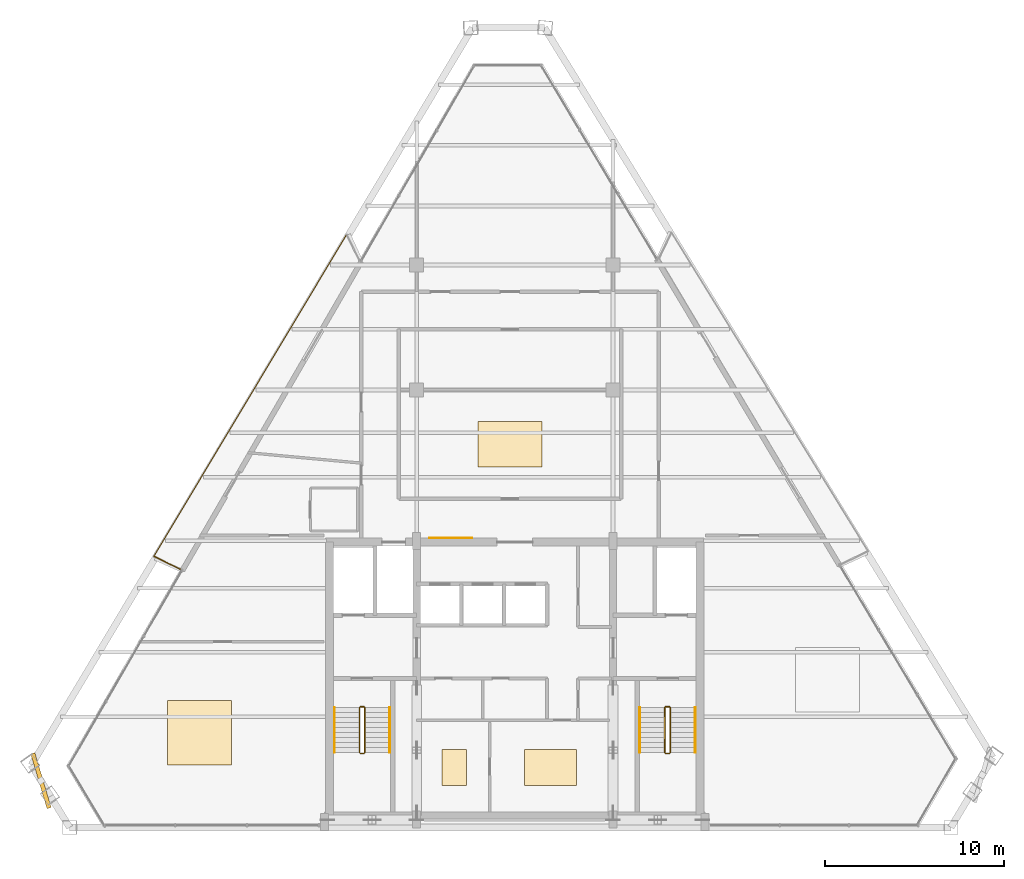
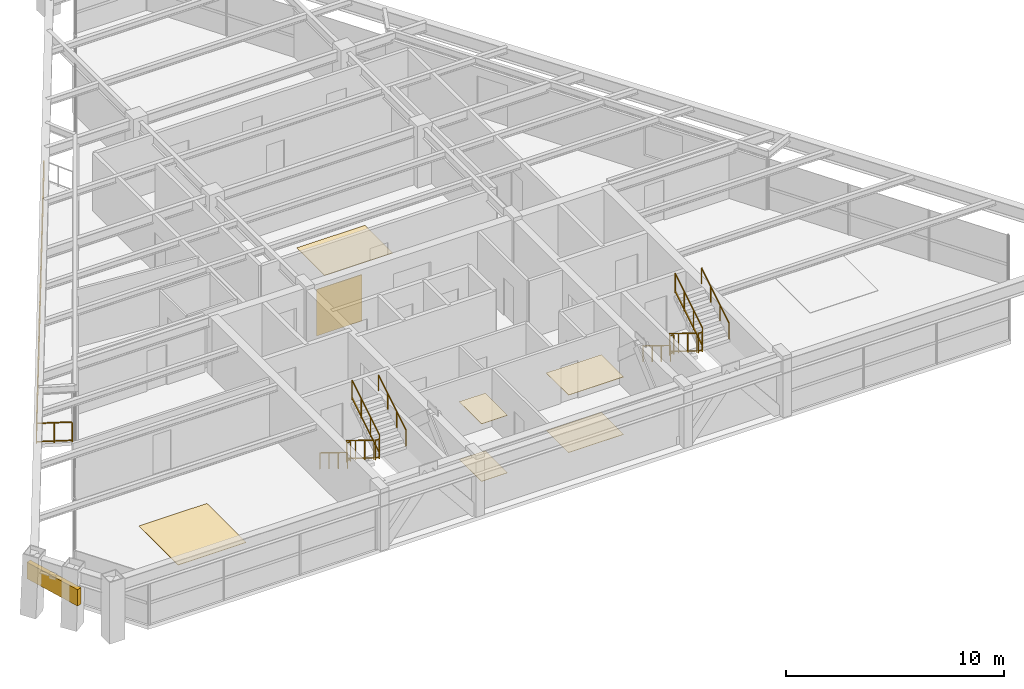
# One storey, part 12 of 13: 14 railings, 7 coverings, 1 shading device.
"""IFC4 building model written with IfcOpenShell, lengths in metres."""

from ifc_helpers import new_model, si_unit, direction, frame, origin, origin_2d, place, context, subcontext, project, spatial, rectangle, extrude, source, transform, mapped, material, layer, layer_set, type_object, type_shapes, element, save


model = new_model("IFC4")

# Units and contexts
model_context = context("Model", 3, precision=1e-05, world=origin(), true_north=direction((0.0, 1.0)))
body_context = subcontext(model_context, "Body", "Model", "MODEL_VIEW")
ifc_project = project(units=[si_unit("LENGTHUNIT", "METRE"), si_unit("AREAUNIT", "SQUARE_METRE"), si_unit("VOLUMEUNIT", "CUBIC_METRE"), si_unit("PLANEANGLEUNIT", "RADIAN"), si_unit("MASSUNIT", "GRAM", prefix="KILO")], contexts=[model_context])

# Site, building, storey
site_placement = place(None, origin())
site = spatial("IfcSite", under=ifc_project, at=site_placement, CompositionType="ELEMENT")
building_placement = place(site_placement, origin())
building = spatial("IfcBuilding", under=site, at=building_placement, Name="Varnakhor Terracotta Tower", CompositionType="ELEMENT")
storey_placement = place(building_placement, frame((0.0, 0.0, 269.550048828125)))
storey = spatial("IfcBuildingStorey", under=building, at=storey_placement, Name="L70", CompositionType="ELEMENT", Elevation=269.550048828125)

# Railings
ifc_material_1 = material(Name="Stainless Steel & Laminated Glass Guardrail", Category="steel")
railing_type_1 = type_object("IfcRailingType", Name="RLG-LOGGIA-GUARD-1150", PredefinedType="GUARDRAIL", material=ifc_material_1)
railing_1_placement = place(storey_placement, frame((-18.742431640625, 14.456787109375, 0.0)))
element("IfcRailing", 1, at=railing_1_placement, inside=storey, type_object=railing_type_1, Name="L70 W Loggia Glass Guard 1", PredefinedType="GUARDRAIL", context=body_context, shape_type="SweptSolid", body=[
    extrude(rectangle(XDim=0.048095703125, YDim=0.048095703125, at=origin_2d()), frame((0.0, 0.0, 1.1259765625), z_axis=(-0.897789410143, 0.440424993655, 0.0), x_axis=(-0.440424993655, -0.897789410143, 0.0)), (0.0, 0.0, 1.0), 1.64306640625),
    extrude(rectangle(XDim=0.048095703125, YDim=0.048095703125, at=origin_2d()), frame((0.0, 0.0, 0.10009765625), z_axis=(-0.897789410143, 0.440424993655, 0.0), x_axis=(-0.440424993655, -0.897789410143, 0.0)), (0.0, 0.0, 1.0), 1.64306640625),
    extrude(rectangle(XDim=0.0419921875, YDim=0.0419921875, at=origin_2d()), origin(), (0.0, 0.0, 1.0), 1.101806640625),
    extrude(rectangle(XDim=0.0419921875, YDim=0.0419921875, at=origin_2d()), frame((-0.737548828125, 0.36181640625, 0.0)), (0.0, 0.0, 1.0), 1.101806640625),
    extrude(rectangle(XDim=0.0419921875, YDim=0.0419921875, at=origin_2d()), frame((-1.47509765625, 0.7236328125, 0.0)), (0.0, 0.0, 1.0), 1.101806640625),
])
railing_2_placement = place(storey_placement, frame((-20.217529296875, 15.180419921875, 0.0)))
element("IfcRailing", 2, at=railing_2_placement, inside=storey, type_object=railing_type_1, Name="L70 W Loggia Glass Guard 2", PredefinedType="GUARDRAIL", context=body_context, shape_type="SweptSolid", body=[
    extrude(rectangle(XDim=0.048095703125, YDim=0.048095703125, at=origin_2d()), frame((0.0, 0.0, 1.1259765625), z_axis=(0.513849306996, 0.857880463526, 0.0), x_axis=(-0.857880463526, 0.513849306996, 0.0)), (0.0, 0.0, 1.0), 20.99853515625),
    extrude(rectangle(XDim=0.048095703125, YDim=0.048095703125, at=origin_2d()), frame((0.0, 0.0, 0.10009765625), z_axis=(0.513849306996, 0.857880463526, 0.0), x_axis=(-0.857880463526, 0.513849306996, 0.0)), (0.0, 0.0, 1.0), 20.99853515625),
    extrude(rectangle(XDim=0.0419921875, YDim=0.0419921875, at=origin_2d()), origin(), (0.0, 0.0, 1.0), 1.101806640625),
    extrude(rectangle(XDim=0.0419921875, YDim=0.0419921875, at=origin_2d()), frame((0.71923828125, 1.200927734375, 0.0)), (0.0, 0.0, 1.0), 1.101806640625),
    extrude(rectangle(XDim=0.0419921875, YDim=0.0419921875, at=origin_2d()), frame((1.438720703125, 2.40185546875, 0.0)), (0.0, 0.0, 1.0), 1.101806640625),
    extrude(rectangle(XDim=0.0419921875, YDim=0.0419921875, at=origin_2d()), frame((2.157958984375, 3.602783203125, 0.0)), (0.0, 0.0, 1.0), 1.101806640625),
    extrude(rectangle(XDim=0.0419921875, YDim=0.0419921875, at=origin_2d()), frame((2.87744140625, 4.8037109375, 0.0)), (0.0, 0.0, 1.0), 1.101806640625),
    extrude(rectangle(XDim=0.0419921875, YDim=0.0419921875, at=origin_2d()), frame((3.5966796875, 6.004638671875, 0.0)), (0.0, 0.0, 1.0), 1.101806640625),
    extrude(rectangle(XDim=0.0419921875, YDim=0.0419921875, at=origin_2d()), frame((4.31591796875, 7.20556640625, 0.0)), (0.0, 0.0, 1.0), 1.101806640625),
    extrude(rectangle(XDim=0.0419921875, YDim=0.0419921875, at=origin_2d()), frame((5.035400390625, 8.406494140625, 0.0)), (0.0, 0.0, 1.0), 1.101806640625),
    extrude(rectangle(XDim=0.0419921875, YDim=0.0419921875, at=origin_2d()), frame((5.754638671875, 9.607666015625, 0.0)), (0.0, 0.0, 1.0), 1.101806640625),
    extrude(rectangle(XDim=0.0419921875, YDim=0.0419921875, at=origin_2d()), frame((6.47412109375, 10.80859375, 0.0)), (0.0, 0.0, 1.0), 1.101806640625),
    extrude(rectangle(XDim=0.0419921875, YDim=0.0419921875, at=origin_2d()), frame((7.193359375, 12.009521484375, 0.0)), (0.0, 0.0, 1.0), 1.101806640625),
    extrude(rectangle(XDim=0.0419921875, YDim=0.0419921875, at=origin_2d()), frame((7.91259765625, 13.21044921875, 0.0)), (0.0, 0.0, 1.0), 1.101806640625),
    extrude(rectangle(XDim=0.0419921875, YDim=0.0419921875, at=origin_2d()), frame((8.632080078125, 14.411376953125, 0.0)), (0.0, 0.0, 1.0), 1.101806640625),
    extrude(rectangle(XDim=0.0419921875, YDim=0.0419921875, at=origin_2d()), frame((9.351318359375, 15.6123046875, 0.0)), (0.0, 0.0, 1.0), 1.101806640625),
    extrude(rectangle(XDim=0.0419921875, YDim=0.0419921875, at=origin_2d()), frame((10.07080078125, 16.813232421875, 0.0)), (0.0, 0.0, 1.0), 1.101806640625),
    extrude(rectangle(XDim=0.0419921875, YDim=0.0419921875, at=origin_2d()), frame((10.7900390625, 18.01416015625, 0.0)), (0.0, 0.0, 1.0), 1.101806640625),
])
ifc_material_2 = material(Name="Painted Steel Stairwell Guardrail", Category="steel")
railing_type_2 = type_object("IfcRailingType", Name="RLG-STAIR-GUARD-1120", PredefinedType="GUARDRAIL", material=ifc_material_2)
railing_3_placement = place(storey_placement, frame((-8.699951171875, 6.7099609375, 0.17236328125)))
element("IfcRailing", 3, at=railing_3_placement, inside=storey, type_object=railing_type_2, Name="L70 ST-1 stair guard 1", PredefinedType="GUARDRAIL", context=body_context, shape_type="SweptSolid", body=[
    extrude(rectangle(XDim=0.048095703125, YDim=0.048095703125, at=origin_2d()), frame((0.0, 0.0, 1.09619140625), z_axis=(0.0, -0.851400495292, 0.524516154772), x_axis=(1.0, 0.0, 0.0)), (0.0, 0.0, 1.0), 2.9599609375),
    extrude(rectangle(XDim=0.048095703125, YDim=0.048095703125, at=origin_2d()), frame((0.0, 0.0, 0.10009765625), z_axis=(0.0, -0.851400495292, 0.524516154772), x_axis=(1.0, 0.0, 0.0)), (0.0, 0.0, 1.0), 2.9599609375),
    extrude(rectangle(XDim=0.0419921875, YDim=0.0419921875, at=origin_2d()), origin(), (0.0, 0.0, 1.0), 1.072021484375),
    extrude(rectangle(XDim=0.0419921875, YDim=0.0419921875, at=origin_2d()), frame((0.0, -0.840087890625, 0.517578125)), (0.0, 0.0, 1.0), 1.072021484375),
    extrude(rectangle(XDim=0.0419921875, YDim=0.0419921875, at=origin_2d()), frame((0.0, -1.679931640625, 1.034912109375)), (0.0, 0.0, 1.0), 1.072021484375),
    extrude(rectangle(XDim=0.0419921875, YDim=0.0419921875, at=origin_2d()), frame((0.0, -2.52001953125, 1.552490234375)), (0.0, 0.0, 1.0), 1.072021484375),
])
railing_4_placement = place(storey_placement, frame((-8.64990234375, 4.139892578125, 1.724853515625)))
element("IfcRailing", 4, at=railing_4_placement, inside=storey, type_object=railing_type_2, Name="L70 ST-1 stair guard 2", PredefinedType="GUARDRAIL", context=body_context, shape_type="SweptSolid", body=[
    extrude(rectangle(XDim=0.048095703125, YDim=0.048095703125, at=origin_2d()), frame((0.0, 0.0, 1.09619140625), z_axis=(1.0, 0.0, 0.0), x_axis=(0.0, 1.0, 0.0)), (0.0, 0.0, 1.0), 0.199951171875),
    extrude(rectangle(XDim=0.048095703125, YDim=0.048095703125, at=origin_2d()), frame((0.0, 0.0, 0.10009765625), z_axis=(1.0, 0.0, 0.0), x_axis=(0.0, 1.0, 0.0)), (0.0, 0.0, 1.0), 0.199951171875),
    extrude(rectangle(XDim=0.0419921875, YDim=0.0419921875, at=origin_2d()), origin(), (0.0, 0.0, 1.0), 1.072021484375),
    extrude(rectangle(XDim=0.0419921875, YDim=0.0419921875, at=origin_2d()), frame((0.199951171875, 0.0, 0.0)), (0.0, 0.0, 1.0), 1.072021484375),
])
railing_5_placement = place(storey_placement, frame((-8.39990234375, 4.18994140625, 1.8974609375)))
element("IfcRailing", 5, at=railing_5_placement, inside=storey, type_object=railing_type_2, Name="L70 ST-1 stair guard 3", PredefinedType="GUARDRAIL", context=body_context, shape_type="SweptSolid", body=[
    extrude(rectangle(XDim=0.048095703125, YDim=0.048095703125, at=origin_2d()), frame((0.0, 0.0, 1.09619140625), z_axis=(0.0, 0.851400495292, 0.524516154772), x_axis=(-1.0, 0.0, 0.0)), (0.0, 0.0, 1.0), 2.9599609375),
    extrude(rectangle(XDim=0.048095703125, YDim=0.048095703125, at=origin_2d()), frame((0.0, 0.0, 0.10009765625), z_axis=(0.0, 0.851400495292, 0.524516154772), x_axis=(-1.0, 0.0, 0.0)), (0.0, 0.0, 1.0), 2.9599609375),
    extrude(rectangle(XDim=0.0419921875, YDim=0.0419921875, at=origin_2d()), origin(), (0.0, 0.0, 1.0), 1.072021484375),
    extrude(rectangle(XDim=0.0419921875, YDim=0.0419921875, at=origin_2d()), frame((0.0, 0.840087890625, 0.517578125)), (0.0, 0.0, 1.0), 1.072021484375),
    extrude(rectangle(XDim=0.0419921875, YDim=0.0419921875, at=origin_2d()), frame((0.0, 1.679931640625, 1.034912109375)), (0.0, 0.0, 1.0), 1.072021484375),
    extrude(rectangle(XDim=0.0419921875, YDim=0.0419921875, at=origin_2d()), frame((0.0, 2.52001953125, 1.552490234375)), (0.0, 0.0, 1.0), 1.072021484375),
])
railing_6_placement = place(storey_placement, frame((-8.64990234375, 6.760009765625, 0.0)))
element("IfcRailing", 6, at=railing_6_placement, inside=storey, type_object=railing_type_2, Name="L70 ST-1 stair guard 4", PredefinedType="GUARDRAIL", context=body_context, shape_type="SweptSolid", body=[
    extrude(rectangle(XDim=0.048095703125, YDim=0.048095703125, at=origin_2d()), frame((0.0, 0.0, 1.09619140625), z_axis=(1.0, 0.0, 0.0), x_axis=(0.0, 1.0, 0.0)), (0.0, 0.0, 1.0), 0.199951171875),
    extrude(rectangle(XDim=0.048095703125, YDim=0.048095703125, at=origin_2d()), frame((0.0, 0.0, 0.10009765625), z_axis=(1.0, 0.0, 0.0), x_axis=(0.0, 1.0, 0.0)), (0.0, 0.0, 1.0), 0.199951171875),
    extrude(rectangle(XDim=0.0419921875, YDim=0.0419921875, at=origin_2d()), origin(), (0.0, 0.0, 1.0), 1.072021484375),
    extrude(rectangle(XDim=0.0419921875, YDim=0.0419921875, at=origin_2d()), frame((0.199951171875, 0.0, 0.0)), (0.0, 0.0, 1.0), 1.072021484375),
])
railing_7_placement = place(storey_placement, frame((8.39990234375, 6.7099609375, 0.17236328125)))
element("IfcRailing", 7, at=railing_7_placement, inside=storey, type_object=railing_type_2, Name="L70 ST-2 stair guard 1", PredefinedType="GUARDRAIL", context=body_context, shape_type="SweptSolid", body=[
    extrude(rectangle(XDim=0.048095703125, YDim=0.048095703125, at=origin_2d()), frame((0.0, 0.0, 1.09619140625), z_axis=(0.0, -0.851400495292, 0.524516154772), x_axis=(1.0, 0.0, 0.0)), (0.0, 0.0, 1.0), 2.9599609375),
    extrude(rectangle(XDim=0.048095703125, YDim=0.048095703125, at=origin_2d()), frame((0.0, 0.0, 0.10009765625), z_axis=(0.0, -0.851400495292, 0.524516154772), x_axis=(1.0, 0.0, 0.0)), (0.0, 0.0, 1.0), 2.9599609375),
    extrude(rectangle(XDim=0.0419921875, YDim=0.0419921875, at=origin_2d()), origin(), (0.0, 0.0, 1.0), 1.072021484375),
    extrude(rectangle(XDim=0.0419921875, YDim=0.0419921875, at=origin_2d()), frame((0.0, -0.840087890625, 0.517578125)), (0.0, 0.0, 1.0), 1.072021484375),
    extrude(rectangle(XDim=0.0419921875, YDim=0.0419921875, at=origin_2d()), frame((0.0, -1.679931640625, 1.034912109375)), (0.0, 0.0, 1.0), 1.072021484375),
    extrude(rectangle(XDim=0.0419921875, YDim=0.0419921875, at=origin_2d()), frame((0.0, -2.52001953125, 1.552490234375)), (0.0, 0.0, 1.0), 1.072021484375),
])
railing_8_placement = place(storey_placement, frame((8.449951171875, 4.139892578125, 1.724853515625)))
element("IfcRailing", 8, at=railing_8_placement, inside=storey, type_object=railing_type_2, Name="L70 ST-2 stair guard 2", PredefinedType="GUARDRAIL", context=body_context, shape_type="SweptSolid", body=[
    extrude(rectangle(XDim=0.048095703125, YDim=0.048095703125, at=origin_2d()), frame((0.0, 0.0, 1.09619140625), z_axis=(1.0, 0.0, 0.0), x_axis=(0.0, 1.0, 0.0)), (0.0, 0.0, 1.0), 0.199951171875),
    extrude(rectangle(XDim=0.048095703125, YDim=0.048095703125, at=origin_2d()), frame((0.0, 0.0, 0.10009765625), z_axis=(1.0, 0.0, 0.0), x_axis=(0.0, 1.0, 0.0)), (0.0, 0.0, 1.0), 0.199951171875),
    extrude(rectangle(XDim=0.0419921875, YDim=0.0419921875, at=origin_2d()), origin(), (0.0, 0.0, 1.0), 1.072021484375),
    extrude(rectangle(XDim=0.0419921875, YDim=0.0419921875, at=origin_2d()), frame((0.199951171875, 0.0, 0.0)), (0.0, 0.0, 1.0), 1.072021484375),
])
railing_9_placement = place(storey_placement, frame((8.699951171875, 4.18994140625, 1.8974609375)))
element("IfcRailing", 9, at=railing_9_placement, inside=storey, type_object=railing_type_2, Name="L70 ST-2 stair guard 3", PredefinedType="GUARDRAIL", context=body_context, shape_type="SweptSolid", body=[
    extrude(rectangle(XDim=0.048095703125, YDim=0.048095703125, at=origin_2d()), frame((0.0, 0.0, 1.09619140625), z_axis=(0.0, 0.851400495292, 0.524516154772), x_axis=(-1.0, 0.0, 0.0)), (0.0, 0.0, 1.0), 2.9599609375),
    extrude(rectangle(XDim=0.048095703125, YDim=0.048095703125, at=origin_2d()), frame((0.0, 0.0, 0.10009765625), z_axis=(0.0, 0.851400495292, 0.524516154772), x_axis=(-1.0, 0.0, 0.0)), (0.0, 0.0, 1.0), 2.9599609375),
    extrude(rectangle(XDim=0.0419921875, YDim=0.0419921875, at=origin_2d()), origin(), (0.0, 0.0, 1.0), 1.072021484375),
    extrude(rectangle(XDim=0.0419921875, YDim=0.0419921875, at=origin_2d()), frame((0.0, 0.840087890625, 0.517578125)), (0.0, 0.0, 1.0), 1.072021484375),
    extrude(rectangle(XDim=0.0419921875, YDim=0.0419921875, at=origin_2d()), frame((0.0, 1.679931640625, 1.034912109375)), (0.0, 0.0, 1.0), 1.072021484375),
    extrude(rectangle(XDim=0.0419921875, YDim=0.0419921875, at=origin_2d()), frame((0.0, 2.52001953125, 1.552490234375)), (0.0, 0.0, 1.0), 1.072021484375),
])
railing_10_placement = place(storey_placement, frame((8.449951171875, 6.760009765625, 0.0)))
element("IfcRailing", 10, at=railing_10_placement, inside=storey, type_object=railing_type_2, Name="L70 ST-2 stair guard 4", PredefinedType="GUARDRAIL", context=body_context, shape_type="SweptSolid", body=[
    extrude(rectangle(XDim=0.048095703125, YDim=0.048095703125, at=origin_2d()), frame((0.0, 0.0, 1.09619140625), z_axis=(1.0, 0.0, 0.0), x_axis=(0.0, 1.0, 0.0)), (0.0, 0.0, 1.0), 0.199951171875),
    extrude(rectangle(XDim=0.048095703125, YDim=0.048095703125, at=origin_2d()), frame((0.0, 0.0, 0.10009765625), z_axis=(1.0, 0.0, 0.0), x_axis=(0.0, 1.0, 0.0)), (0.0, 0.0, 1.0), 0.199951171875),
    extrude(rectangle(XDim=0.0419921875, YDim=0.0419921875, at=origin_2d()), origin(), (0.0, 0.0, 1.0), 1.072021484375),
    extrude(rectangle(XDim=0.0419921875, YDim=0.0419921875, at=origin_2d()), frame((0.199951171875, 0.0, 0.0)), (0.0, 0.0, 1.0), 1.072021484375),
])
ifc_material_3 = material(Name="Brushed Stainless Steel Handrail", Category="steel")
railing_type_3 = type_object("IfcRailingType", Name="RLG-STAIR-HANDRAIL-920", PredefinedType="HANDRAIL", material=ifc_material_3)
railing_11_placement = place(storey_placement, frame((-10.10009765625, 6.7099609375, 0.17236328125)))
element("IfcRailing", 11, at=railing_11_placement, inside=storey, type_object=railing_type_3, Name="L70 ST-1 stair handrail 1", PredefinedType="HANDRAIL", context=body_context, shape_type="SweptSolid", body=[
    extrude(rectangle(XDim=0.048095703125, YDim=0.048095703125, at=origin_2d()), frame((0.0, 0.0, 0.89599609375), z_axis=(0.0, -0.851400495292, 0.524516154772), x_axis=(1.0, 0.0, 0.0)), (0.0, 0.0, 1.0), 2.9599609375),
    extrude(rectangle(XDim=0.0419921875, YDim=0.0419921875, at=origin_2d()), origin(), (0.0, 0.0, 1.0), 0.871826171875),
    extrude(rectangle(XDim=0.0419921875, YDim=0.0419921875, at=origin_2d()), frame((0.0, -0.840087890625, 0.517578125)), (0.0, 0.0, 1.0), 0.871826171875),
    extrude(rectangle(XDim=0.0419921875, YDim=0.0419921875, at=origin_2d()), frame((0.0, -1.679931640625, 1.034912109375)), (0.0, 0.0, 1.0), 0.871826171875),
    extrude(rectangle(XDim=0.0419921875, YDim=0.0419921875, at=origin_2d()), frame((0.0, -2.52001953125, 1.552490234375)), (0.0, 0.0, 1.0), 0.871826171875),
])
railing_12_placement = place(storey_placement, frame((-7.0, 4.18994140625, 1.8974609375)))
element("IfcRailing", 12, at=railing_12_placement, inside=storey, type_object=railing_type_3, Name="L70 ST-1 stair handrail 2", PredefinedType="HANDRAIL", context=body_context, shape_type="SweptSolid", body=[
    extrude(rectangle(XDim=0.048095703125, YDim=0.048095703125, at=origin_2d()), frame((0.0, 0.0, 0.89599609375), z_axis=(0.0, 0.851400495292, 0.524516154772), x_axis=(-1.0, 0.0, 0.0)), (0.0, 0.0, 1.0), 2.9599609375),
    extrude(rectangle(XDim=0.0419921875, YDim=0.0419921875, at=origin_2d()), origin(), (0.0, 0.0, 1.0), 0.871826171875),
    extrude(rectangle(XDim=0.0419921875, YDim=0.0419921875, at=origin_2d()), frame((0.0, 0.840087890625, 0.517578125)), (0.0, 0.0, 1.0), 0.871826171875),
    extrude(rectangle(XDim=0.0419921875, YDim=0.0419921875, at=origin_2d()), frame((0.0, 1.679931640625, 1.034912109375)), (0.0, 0.0, 1.0), 0.871826171875),
    extrude(rectangle(XDim=0.0419921875, YDim=0.0419921875, at=origin_2d()), frame((0.0, 2.52001953125, 1.552490234375)), (0.0, 0.0, 1.0), 0.871826171875),
])
railing_13_placement = place(storey_placement, frame((7.0, 6.7099609375, 0.17236328125)))
element("IfcRailing", 13, at=railing_13_placement, inside=storey, type_object=railing_type_3, Name="L70 ST-2 stair handrail 1", PredefinedType="HANDRAIL", context=body_context, shape_type="SweptSolid", body=[
    extrude(rectangle(XDim=0.048095703125, YDim=0.048095703125, at=origin_2d()), frame((0.0, 0.0, 0.89599609375), z_axis=(0.0, -0.851400495292, 0.524516154772), x_axis=(1.0, 0.0, 0.0)), (0.0, 0.0, 1.0), 2.9599609375),
    extrude(rectangle(XDim=0.0419921875, YDim=0.0419921875, at=origin_2d()), origin(), (0.0, 0.0, 1.0), 0.871826171875),
    extrude(rectangle(XDim=0.0419921875, YDim=0.0419921875, at=origin_2d()), frame((0.0, -0.840087890625, 0.517578125)), (0.0, 0.0, 1.0), 0.871826171875),
    extrude(rectangle(XDim=0.0419921875, YDim=0.0419921875, at=origin_2d()), frame((0.0, -1.679931640625, 1.034912109375)), (0.0, 0.0, 1.0), 0.871826171875),
    extrude(rectangle(XDim=0.0419921875, YDim=0.0419921875, at=origin_2d()), frame((0.0, -2.52001953125, 1.552490234375)), (0.0, 0.0, 1.0), 0.871826171875),
])
railing_14_placement = place(storey_placement, frame((10.10009765625, 4.18994140625, 1.8974609375)))
element("IfcRailing", 14, at=railing_14_placement, inside=storey, type_object=railing_type_3, Name="L70 ST-2 stair handrail 2", PredefinedType="HANDRAIL", context=body_context, shape_type="SweptSolid", body=[
    extrude(rectangle(XDim=0.048095703125, YDim=0.048095703125, at=origin_2d()), frame((0.0, 0.0, 0.89599609375), z_axis=(0.0, 0.851400495292, 0.524516154772), x_axis=(-1.0, 0.0, 0.0)), (0.0, 0.0, 1.0), 2.9599609375),
    extrude(rectangle(XDim=0.0419921875, YDim=0.0419921875, at=origin_2d()), origin(), (0.0, 0.0, 1.0), 0.871826171875),
    extrude(rectangle(XDim=0.0419921875, YDim=0.0419921875, at=origin_2d()), frame((0.0, 0.840087890625, 0.517578125)), (0.0, 0.0, 1.0), 0.871826171875),
    extrude(rectangle(XDim=0.0419921875, YDim=0.0419921875, at=origin_2d()), frame((0.0, 1.679931640625, 1.034912109375)), (0.0, 0.0, 1.0), 0.871826171875),
    extrude(rectangle(XDim=0.0419921875, YDim=0.0419921875, at=origin_2d()), frame((0.0, 2.52001953125, 1.552490234375)), (0.0, 0.0, 1.0), 0.871826171875),
])

# Shading device
ifc_material_4 = material(Name="Extruded Architectural Terracotta Screen", Category="masonry")
shading_device_type = type_object("IfcShadingDeviceType", Name="TERRACOTTA SOLAR SCREEN W", PredefinedType="USERDEFINED", material=ifc_material_4)
shared_shape_1 = source(origin(), body_context, "Body", "SweptSolid", [
    extrude(rectangle(XDim=3.199951171875, YDim=0.239990234375, at=origin_2d()), origin(), (0.0, 0.0, 1.0), 0.919921875),
])
type_shapes(shading_device_type, [shared_shape_1])
shading_device_placement = place(storey_placement, frame((-26.5419921875, 2.6162109375, 1.56201171875), z_axis=(0.0, 0.0, 1.0), x_axis=(0.28501926247, -0.958521789017, 0.0)))
element("IfcShadingDevice", 15, at=shading_device_placement, inside=storey, type_object=shading_device_type, Name="L70 W Terracotta Solar Screen", ObjectType="SCREEN", PredefinedType="USERDEFINED", context=body_context, shape_type="MappedRepresentation", body=[
    mapped(shared_shape_1, transform((0.0, 0.0, 0.0), scale=1.0)),
])

# Coverings
ifc_material_5 = material(Name="Extruded Architectural Terracotta Cladding", Category="masonry")
ifc_layer_1 = layer(ifc_material_5, 0.044921875, Name="Extruded Architectural Terracotta Cladding")
ifc_layer_set_1 = layer_set([ifc_layer_1], Name="Extruded Architectural Terracotta Cladding")
covering_type_1 = type_object("IfcCoveringType", Name="COV-CLAD-TERRACOTTA", PredefinedType="CLADDING", material=ifc_layer_set_1)
shared_shape_2 = source(origin(), body_context, "Body", "SweptSolid", [
    extrude(rectangle(XDim=2.39990234375, YDim=0.030029296875, at=origin_2d()), origin(), (0.0, 0.0, 1.0), 2.60009765625),
])
type_shapes(covering_type_1, [shared_shape_2])
covering_1_placement = place(storey_placement, frame((-3.60009765625, 16.2119140625, 0.0), z_axis=(0.0, 0.0, 1.0), x_axis=(1.0, 0.0, 0.0)))
element("IfcCovering", 16, at=covering_1_placement, inside=storey, type_object=covering_type_1, Name="L70 Core Lobby Limestone Cladding", PredefinedType="CLADDING", context=body_context, shape_type="MappedRepresentation", body=[
    mapped(shared_shape_2, transform((0.0, 0.0, 0.0), scale=1.0)),
])
ifc_material_6 = material(Name="Honed Riyadh Limestone Flooring", Category="masonry")
ifc_layer_2 = layer(ifc_material_6, 0.030029296875, Name="Honed Riyadh Limestone Flooring")
ifc_layer_set_2 = layer_set([ifc_layer_2], Name="Honed Riyadh Limestone Flooring")
covering_type_2 = type_object("IfcCoveringType", Name="COV-FLOOR-LIMESTONE", PredefinedType="FLOORING", material=ifc_layer_set_2)
shared_shape_3 = source(origin(), body_context, "Body", "SweptSolid", [
    extrude(rectangle(XDim=3.60009765625, YDim=3.60009765625, at=origin_2d()), origin(), (0.0, 0.0, 1.0), 0.02001953125),
])
covering_2_placement = place(storey_placement, frame((-17.656982421875, 5.303955078125, 0.0), z_axis=(0.0, 0.0, 1.0), x_axis=(1.0, 0.0, 0.0)))
element("IfcCovering", 17, at=covering_2_placement, inside=storey, type_object=covering_type_2, Name="L70 Honed Stone Flooring 3", PredefinedType="FLOORING", context=body_context, shape_type="MappedRepresentation", body=[
    mapped(shared_shape_3, transform((0.0, 0.0, 0.0), scale=1.0)),
])
shared_shape_4 = source(origin(), body_context, "Body", "SweptSolid", [
    extrude(rectangle(XDim=1.375, YDim=2.041015625, at=origin_2d()), origin(), (0.0, 0.0, 1.0), 0.02001953125),
])
covering_3_placement = place(storey_placement, frame((-3.389892578125, 3.35498046875, 0.0), z_axis=(0.0, 0.0, 1.0), x_axis=(1.0, 0.0, 0.0)))
element("IfcCovering", 18, at=covering_3_placement, inside=storey, type_object=covering_type_2, Name="L70 Honed Stone Flooring 1", PredefinedType="FLOORING", context=body_context, shape_type="MappedRepresentation", body=[
    mapped(shared_shape_4, transform((0.0, 0.0, 0.0), scale=1.0)),
])
ifc_material_7 = material(Name="Perforated Acoustic Mineral-Fibre Ceiling", Category="gypsum")
ifc_layer_3 = layer(ifc_material_7, 0.02490234375, Name="Perforated Acoustic Mineral-Fibre Ceiling")
ifc_layer_set_3 = layer_set([ifc_layer_3], Name="Perforated Acoustic Mineral-Fibre Ceiling")
covering_type_3 = type_object("IfcCoveringType", Name="COV-CEILING-ACOUSTIC", PredefinedType="CEILING", material=ifc_layer_set_3)
shared_shape_5 = source(origin(), body_context, "Body", "SweptSolid", [
    extrude(rectangle(XDim=1.375, YDim=2.041015625, at=origin_2d()), origin(), (0.0, 0.0, 1.0), 0.02392578125),
])
covering_4_placement = place(storey_placement, frame((-3.389892578125, 3.35498046875, 3.216064453125), z_axis=(0.0, 0.0, 1.0), x_axis=(1.0, 0.0, 0.0)))
element("IfcCovering", 19, at=covering_4_placement, inside=storey, type_object=covering_type_3, Name="L70 Acoustic Ceiling Panel 1", PredefinedType="CEILING", context=body_context, shape_type="MappedRepresentation", body=[
    mapped(shared_shape_5, transform((0.0, 0.0, 0.0), scale=1.0)),
])
shared_shape_6 = source(origin(), body_context, "Body", "SweptSolid", [
    extrude(rectangle(XDim=2.9150390625, YDim=2.041015625, at=origin_2d()), origin(), (0.0, 0.0, 1.0), 0.02001953125),
])
covering_5_placement = place(storey_placement, frame((1.989990234375, 3.35498046875, 0.0), z_axis=(0.0, 0.0, 1.0), x_axis=(1.0, 0.0, 0.0)))
element("IfcCovering", 20, at=covering_5_placement, inside=storey, type_object=covering_type_2, Name="L70 Honed Stone Flooring 2", PredefinedType="FLOORING", context=body_context, shape_type="MappedRepresentation", body=[
    mapped(shared_shape_6, transform((0.0, 0.0, 0.0), scale=1.0)),
])
shared_shape_7 = source(origin(), body_context, "Body", "SweptSolid", [
    extrude(rectangle(XDim=2.9150390625, YDim=2.041015625, at=origin_2d()), origin(), (0.0, 0.0, 1.0), 0.02392578125),
])
covering_6_placement = place(storey_placement, frame((1.989990234375, 3.35498046875, 3.216064453125), z_axis=(0.0, 0.0, 1.0), x_axis=(1.0, 0.0, 0.0)))
element("IfcCovering", 21, at=covering_6_placement, inside=storey, type_object=covering_type_3, Name="L70 Acoustic Ceiling Panel 2", PredefinedType="CEILING", context=body_context, shape_type="MappedRepresentation", body=[
    mapped(shared_shape_7, transform((0.0, 0.0, 0.0), scale=1.0)),
])
shared_shape_8 = source(origin(), body_context, "Body", "SweptSolid", [
    extrude(rectangle(XDim=3.60009765625, YDim=2.5439453125, at=origin_2d()), origin(), (0.0, 0.0, 1.0), 0.02001953125),
])
covering_7_placement = place(storey_placement, frame((-0.27490234375, 21.4609375, 0.0), z_axis=(0.0, 0.0, 1.0), x_axis=(1.0, 0.0, 0.0)))
element("IfcCovering", 22, at=covering_7_placement, inside=storey, type_object=covering_type_2, Name="L70 Honed Stone Flooring 5", PredefinedType="FLOORING", context=body_context, shape_type="MappedRepresentation", body=[
    mapped(shared_shape_8, transform((0.0, 0.0, 0.0), scale=1.0)),
])

save(model, "model.ifc")
